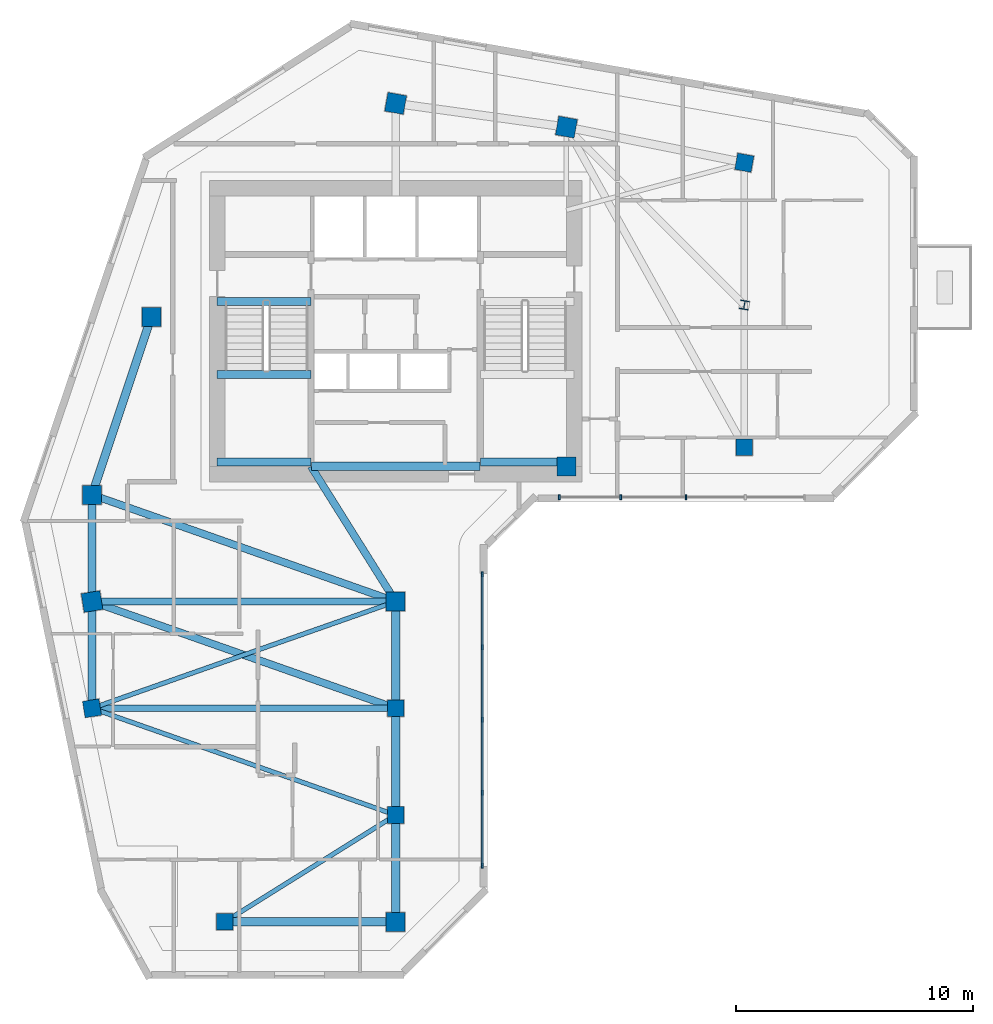
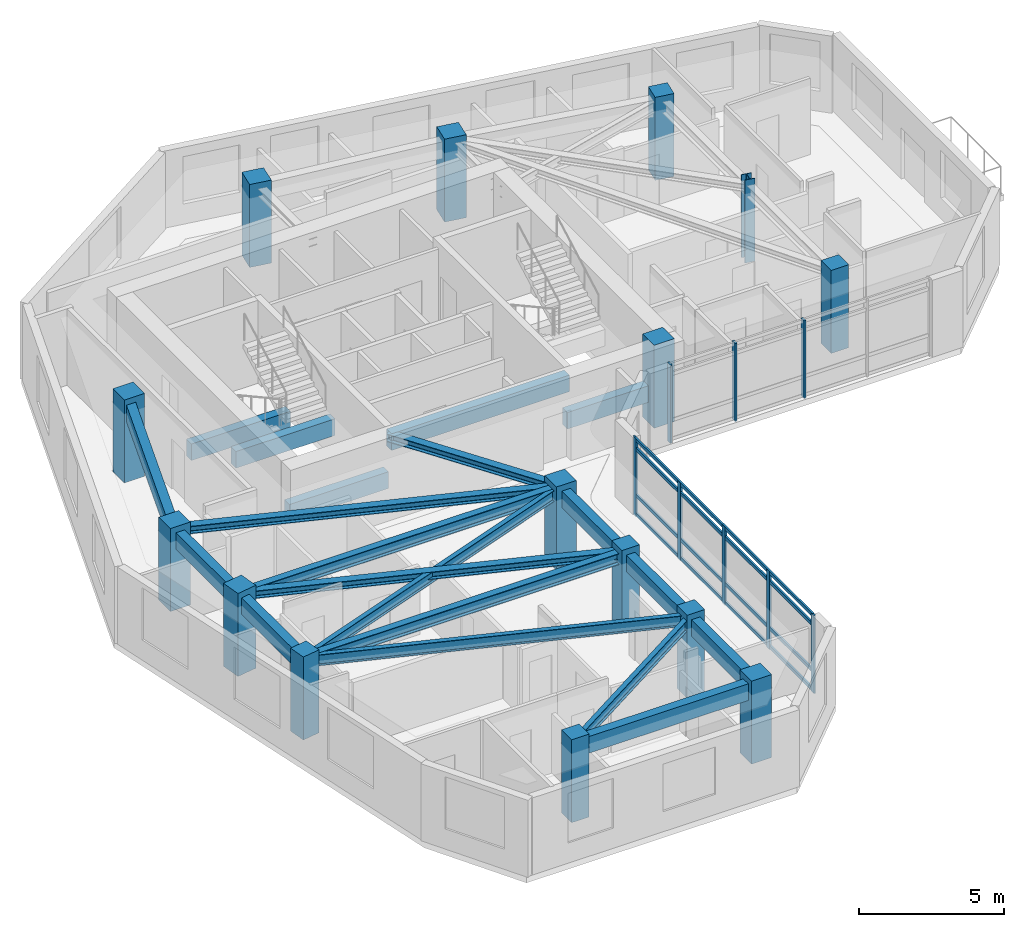
# One storey, part 1 of 10: 20 beams, 15 columns, 12 members, 2 elements without a shape of their own.
"""IFC4 building model written with IfcOpenShell, lengths in metres."""

from ifc_helpers import new_model, si_unit, direction, frame, origin, origin_2d, place, context, subcontext, project, spatial, rectangle, i_section, extrude, source, transform, mapped, material, material_profile, profile_set, type_object, element, aggregate, save


model = new_model("IFC4")

# Units and contexts
model_context = context("Model", 3, precision=1e-05, world=origin(), true_north=direction((0.0, 1.0)))
body_context = subcontext(model_context, "Body", "Model", "MODEL_VIEW")
ifc_project = project(units=[si_unit("LENGTHUNIT", "METRE"), si_unit("AREAUNIT", "SQUARE_METRE"), si_unit("VOLUMEUNIT", "CUBIC_METRE"), si_unit("PLANEANGLEUNIT", "RADIAN"), si_unit("MASSUNIT", "GRAM", prefix="KILO")], contexts=[model_context])

# Site, building, storey
site_placement = place(None, origin())
site = spatial("IfcSite", under=ifc_project, at=site_placement, CompositionType="ELEMENT")
building_placement = place(site_placement, origin())
building = spatial("IfcBuilding", under=site, at=building_placement, Name="Calvemar Wedge Station Tower", CompositionType="ELEMENT")
storey_placement = place(building_placement, frame((0.0, 0.0, 218.39990234375)))
storey = spatial("IfcBuildingStorey", under=building, at=storey_placement, Name="L55", CompositionType="ELEMENT", Elevation=218.39990234375)

# Columns
ifc_material_1 = material(Name="Concrete C50", Category="concrete")
ifc_material_profile_1 = material_profile(ifc_material_1, rectangle(XDim=0.800048828125, YDim=0.800048828125, at=origin_2d()), Name="RC800x800")
ifc_profile_set_1 = profile_set([ifc_material_profile_1], Name="Concrete C50")
column_type_1 = type_object("IfcColumnType", Name="COL-C6-800", PredefinedType="COLUMN", material=ifc_profile_set_1)
shared_shape_1 = source(origin(), body_context, "Body", "SweptSolid", [
    extrude(rectangle(XDim=0.800048828125, YDim=0.800048828125, at=origin_2d()), origin(), (0.0, 0.0, 1.0), 3.5),
])
for number, where, z_axis, x_axis, name in (
    (1, (11.0, 33.0, 0.0), (0.0, 0.0, 1.0), (1.0, 0.0, 0.0), "Storey L55 Column T-NW1"),
    (2, (13.5, 40.5, 0.0), (0.0, 0.0, 1.0), (1.0, 0.0, 0.0), "Storey L55 Column T-NW2"),
    (3, (23.800048828125, 49.5, 0.0), (0.0, 0.0, 1.0), (0.984195607969, -0.17708474032, 0.0), "Storey L55 Column T-N1"),
    (4, (31.0, 48.5, 0.0), (0.0, 0.0, 1.0), (0.984195607969, -0.17708474032, 0.0), "Storey L55 Column T-N2"),
    (5, (31.0, 34.199951171875, 0.0), (0.0, 0.0, 1.0), (1.0, 0.0, 0.0), "Storey L55 Column T-NL1"),
    (6, (11.0, 28.5, 0.0), (0.0, 0.0, 1.0), (0.158158067254, -0.987413806751, 0.0), "Storey L55 Column T-SW1"),
    (7, (23.800048828125, 28.5, 0.0), (0.0, 0.0, 1.0), (1.0, 0.0, 0.0), "Storey L55 Column T-SE1"),
    (8, (23.800048828125, 15.0, 0.0), (0.0, 0.0, 1.0), (1.0, 0.0, 0.0), "Storey L55 Column T-SE4"),
):
    element("IfcColumn", number, at=place(storey_placement, frame(where, z_axis=z_axis, x_axis=x_axis)), inside=storey, type_object=column_type_1, Name=name, PredefinedType="COLUMN", context=body_context, shape_type="MappedRepresentation", body=[
        mapped(shared_shape_1, transform((0.0, 0.0, 0.0), scale=1.0)),
    ])
ifc_material_profile_2 = material_profile(ifc_material_1, rectangle(XDim=0.699951171875, YDim=0.699951171875, at=origin_2d()), Name="RC700x700")
ifc_profile_set_2 = profile_set([ifc_material_profile_2], Name="Concrete C50")
column_type_2 = type_object("IfcColumnType", Name="COL-C7-700", PredefinedType="COLUMN", material=ifc_profile_set_2)
shared_shape_2 = source(origin(), body_context, "Body", "SweptSolid", [
    extrude(rectangle(XDim=0.699951171875, YDim=0.699951171875, at=origin_2d()), origin(), (0.0, 0.0, 1.0), 3.5),
])
for number, where, z_axis, x_axis, name in (
    (9, (38.5, 47.0, 0.0), (0.0, 0.0, 1.0), (0.984195607969, -0.17708474032, 0.0), "Storey L55 Column T-NU3"),
    (10, (38.5, 35.0, 0.0), (0.0, 0.0, 1.0), (1.0, 0.0, 0.0), "Storey L55 Column T-NL2"),
    (11, (11.0, 24.0, 0.0), (0.0, 0.0, 1.0), (0.158158067254, -0.987413806751, 0.0), "Storey L55 Column T-SW2"),
    (12, (23.800048828125, 24.0, 0.0), (0.0, 0.0, 1.0), (1.0, 0.0, 0.0), "Storey L55 Column T-SE2"),
    (13, (23.800048828125, 19.5, 0.0), (0.0, 0.0, 1.0), (1.0, 0.0, 0.0), "Storey L55 Column T-SE3"),
    (14, (16.60009765625, 15.0, 0.0), (0.0, 0.0, 1.0), (1.0, 0.0, 0.0), "Storey L55 Column T-SM1"),
):
    element("IfcColumn", number, at=place(storey_placement, frame(where, z_axis=z_axis, x_axis=x_axis)), inside=storey, type_object=column_type_2, Name=name, PredefinedType="COLUMN", context=body_context, shape_type="MappedRepresentation", body=[
        mapped(shared_shape_2, transform((0.0, 0.0, 0.0), scale=1.0)),
    ])
ifc_material_2 = material(Name="Structural steel ASTM A572 Grade 50", Category="steel")
ifc_material_profile_3 = material_profile(ifc_material_2, i_section(OverallWidth=0.3740234375, OverallDepth=0.3720703125, WebThickness=0.016357421875, FlangeThickness=0.026123046875, FilletRadius=0.014892578125, at=origin_2d()), Name="W360x196")
ifc_profile_set_3 = profile_set([ifc_material_profile_3], Name="Structural steel ASTM A572 Grade 50")
column_type_3 = type_object("IfcColumnType", Name="COL-STL-W360", PredefinedType="COLUMN", material=ifc_profile_set_3)
shared_shape_3 = source(origin(), body_context, "Body", "SweptSolid", [
    extrude(i_section(OverallWidth=0.3740234375, OverallDepth=0.3720703125, WebThickness=0.016357421875, FlangeThickness=0.026123046875, FilletRadius=0.014892578125, at=origin_2d()), origin(), (0.0, 0.0, 1.0), 3.5),
])
column_placement = place(storey_placement, frame((38.5, 41.0, 0.0), z_axis=(0.0, 0.0, 1.0), x_axis=(0.984195607969, -0.17708474032, 0.0)))
element("IfcColumn", 15, at=column_placement, inside=storey, type_object=column_type_3, Name="Storey L55 Column T-NTIP-B", PredefinedType="COLUMN", context=body_context, shape_type="MappedRepresentation", body=[
    mapped(shared_shape_3, transform((0.0, 0.0, 0.0), scale=1.0)),
])

# Beams
ifc_material_3 = material(Name="Concrete C70", Category="concrete")
ifc_material_profile_4 = material_profile(ifc_material_3, rectangle(XDim=0.35009765625, YDim=0.699951171875, at=origin_2d()), Name="RC350x700")
ifc_profile_set_4 = profile_set([ifc_material_profile_4], Name="Concrete C70")
beam_type_1 = type_object("IfcBeamType", Name="BM-LN1-700", PredefinedType="LINTEL", material=ifc_profile_set_4)
shared_shape_4 = source(origin(), body_context, "Body", "SweptSolid", [
    extrude(rectangle(XDim=0.35009765625, YDim=0.699951171875, at=origin_2d()), origin(), (0.0, 0.0, 1.0), 7.10009765625),
])
beam_1_placement = place(storey_placement, frame((20.25, 34.199951171875, 2.900146484375), z_axis=(1.0, 0.0, 0.0), x_axis=(0.0, 1.0, 0.0)))
element("IfcBeam", 16, at=beam_1_placement, inside=storey, type_object=beam_type_1, Name="Storey L55 Core Coupling Lintel South", PredefinedType="LINTEL", context=body_context, shape_type="MappedRepresentation", body=[
    mapped(shared_shape_4, transform((0.0, 0.0, 0.0), scale=1.0)),
])
ifc_material_profile_5 = material_profile(ifc_material_2, i_section(OverallWidth=0.30908203125, OverallDepth=0.322998046875, WebThickness=0.013916015625, FlangeThickness=0.02294921875, FilletRadius=0.014892578125, at=origin_2d()), Name="W310x143")
ifc_profile_set_5 = profile_set([ifc_material_profile_5], Name="Structural steel ASTM A572 Grade 50")
beam_type_2 = type_object("IfcBeamType", Name="BM-J5-W310H", PredefinedType="JOIST", material=ifc_profile_set_5)
shared_shape_5 = source(origin(), body_context, "Body", "SweptSolid", [
    extrude(i_section(OverallWidth=0.30908203125, OverallDepth=0.322998046875, WebThickness=0.013916015625, FlangeThickness=0.02294921875, FilletRadius=0.014892578125, at=origin_2d()), origin(), (0.0, 0.0, 1.0), 13.568115234375),
])
for number, where, z_axis, x_axis, name in (
    (17, (11.0, 33.0, 3.088623046875), (0.943398221169, -0.331662171939, 0.0), (0.331662171939, 0.943398221169, 0.0), "Storey L55 Floor Beam T-NW1-T-SE1"),
    (18, (11.0, 28.5, 3.088623046875), (0.943398221169, -0.331662171939, 0.0), (0.331662171939, 0.943398221169, 0.0), "Storey L55 Floor Beam T-SW1-T-SE2"),
):
    element("IfcBeam", number, at=place(storey_placement, frame(where, z_axis=z_axis, x_axis=x_axis)), inside=storey, type_object=beam_type_2, Name=name, PredefinedType="JOIST", context=body_context, shape_type="MappedRepresentation", body=[
        mapped(shared_shape_5, transform((0.0, 0.0, 0.0), scale=1.0)),
    ])
ifc_material_profile_6 = material_profile(ifc_material_2, i_section(OverallWidth=0.19189453125, OverallDepth=0.462890625, WebThickness=0.010498046875, FlangeThickness=0.017578125, FilletRadius=0.012939453125, at=origin_2d()), Name="W460x89")
ifc_profile_set_6 = profile_set([ifc_material_profile_6], Name="Structural steel ASTM A572 Grade 50")
beam_type_3 = type_object("IfcBeamType", Name="BM-J1-W460", PredefinedType="JOIST", material=ifc_profile_set_6)
shared_shape_6 = source(origin(), body_context, "Body", "SweptSolid", [
    extrude(i_section(OverallWidth=0.19189453125, OverallDepth=0.462890625, WebThickness=0.010498046875, FlangeThickness=0.017578125, FilletRadius=0.012939453125, at=origin_2d()), origin(), (0.0, 0.0, 1.0), 13.568115234375),
])
for number, where, z_axis, x_axis, name in (
    (19, (23.800048828125, 28.5, 3.0185546875), (-0.943398221169, -0.331662171939, 0.0), (0.331662171939, -0.943398221169, 0.0), "Storey L55 Floor Beam T-SE1-T-SW2"),
    (20, (11.0, 24.0, 3.0185546875), (0.943398221169, -0.331662171939, 0.0), (0.331662171939, 0.943398221169, 0.0), "Storey L55 Floor Beam T-SW2-T-SE3"),
):
    element("IfcBeam", number, at=place(storey_placement, frame(where, z_axis=z_axis, x_axis=x_axis)), inside=storey, type_object=beam_type_3, Name=name, PredefinedType="JOIST", context=body_context, shape_type="MappedRepresentation", body=[
        mapped(shared_shape_6, transform((0.0, 0.0, 0.0), scale=1.0)),
    ])
shared_shape_7 = source(origin(), body_context, "Body", "SweptSolid", [
    extrude(i_section(OverallWidth=0.19189453125, OverallDepth=0.462890625, WebThickness=0.010498046875, FlangeThickness=0.017578125, FilletRadius=0.012939453125, at=origin_2d()), origin(), (0.0, 0.0, 1.0), 8.490478515625),
])
beam_2_placement = place(storey_placement, frame((23.800048828125, 19.5, 3.0185546875), z_axis=(-0.847996688584, -0.530001524668, 0.0), x_axis=(0.530001524668, -0.847996688584, 0.0)))
element("IfcBeam", 21, at=beam_2_placement, inside=storey, type_object=beam_type_3, Name="Storey L55 Floor Beam T-SE3-T-SM1", PredefinedType="JOIST", context=body_context, shape_type="MappedRepresentation", body=[
    mapped(shared_shape_7, transform((0.0, 0.0, 0.0), scale=1.0)),
])
shared_shape_8 = source(origin(), body_context, "Body", "SweptSolid", [
    extrude(i_section(OverallWidth=0.30908203125, OverallDepth=0.322998046875, WebThickness=0.013916015625, FlangeThickness=0.02294921875, FilletRadius=0.014892578125, at=origin_2d()), origin(), (0.0, 0.0, 1.0), 6.7255859375),
])
beam_3_placement = place(storey_placement, frame((20.22998046875, 34.199951171875, 3.088623046875), z_axis=(0.530811158438, -0.847490126242, 0.0), x_axis=(0.847490126242, 0.530811158438, 0.0)))
element("IfcBeam", 22, at=beam_3_placement, inside=storey, type_object=beam_type_2, Name="Storey L55 Core-to-Column Joist CJ-S2", PredefinedType="JOIST", context=body_context, shape_type="MappedRepresentation", body=[
    mapped(shared_shape_8, transform((0.0, 0.0, 0.0), scale=1.0)),
])
shared_shape_9 = source(origin(), body_context, "Body", "SweptSolid", [
    extrude(rectangle(XDim=0.35009765625, YDim=0.699951171875, at=origin_2d()), origin(), (0.0, 0.0, 1.0), 3.955078125),
])
for number, where, z_axis, x_axis, name in (
    (23, (16.27490234375, 41.14990234375, -0.349853515625), (1.0, 0.0, 0.0), (0.0, 1.0, 0.0), "Storey L55 Stair ST-C1 Landing Trimmer Beam"),
    (24, (16.27490234375, 34.3798828125, 1.2001953125), (1.0, 0.0, 0.0), (0.0, 1.0, 0.0), "Storey L55 Stair ST-C1 Half-Landing Beam 1A"),
    (25, (16.27490234375, 38.070068359375, 1.2001953125), (1.0, 0.0, 0.0), (0.0, 1.0, 0.0), "Storey L55 Stair ST-C1 Half-Landing Beam 1B"),
):
    element("IfcBeam", number, at=place(storey_placement, frame(where, z_axis=z_axis, x_axis=x_axis)), inside=storey, type_object=beam_type_1, Name=name, PredefinedType="LINTEL", context=body_context, shape_type="MappedRepresentation", body=[
        mapped(shared_shape_9, transform((0.0, 0.0, 0.0), scale=1.0)),
    ])
shared_shape_10 = source(origin(), body_context, "Body", "SweptSolid", [
    extrude(rectangle(XDim=0.35009765625, YDim=0.699951171875, at=origin_2d()), origin(), (0.0, 0.0, 1.0), 3.954833984375),
])
beam_4_placement = place(storey_placement, frame((27.3701171875, 34.3798828125, 1.2001953125), z_axis=(1.0, 0.0, 0.0), x_axis=(0.0, 1.0, 0.0)))
element("IfcBeam", 26, at=beam_4_placement, inside=storey, type_object=beam_type_1, Name="Storey L55 Stair ST-C2 Half-Landing Beam 1A", PredefinedType="LINTEL", context=body_context, shape_type="MappedRepresentation", body=[
    mapped(shared_shape_10, transform((0.0, 0.0, 0.0), scale=1.0)),
])
ifc_material_profile_7 = material_profile(ifc_material_1, rectangle(XDim=0.35009765625, YDim=0.699951171875, at=origin_2d()), Name="RC350x700")
ifc_profile_set_7 = profile_set([ifc_material_profile_7], Name="Concrete C50")
beam_type_4 = type_object("IfcBeamType", Name="BM-SP2-700", PredefinedType="SPANDREL", material=ifc_profile_set_7)
shared_shape_11 = source(origin(), body_context, "Body", "SweptSolid", [
    extrude(rectangle(XDim=0.35009765625, YDim=0.699951171875, at=origin_2d()), origin(), (0.0, 0.0, 1.0), 7.90576171875),
])
beam_5_placement = place(storey_placement, frame((11.0, 33.0, 2.900146484375), z_axis=(0.316227766017, 0.948683298051, 0.0), x_axis=(-0.948683298051, 0.316227766017, 0.0)))
element("IfcBeam", 27, at=beam_5_placement, inside=storey, type_object=beam_type_4, Name="Storey L55 Spandrel T-NW1-T-NW2", PredefinedType="SPANDREL", context=body_context, shape_type="MappedRepresentation", body=[
    mapped(shared_shape_11, transform((0.0, 0.0, 0.0), scale=1.0)),
])
shared_shape_12 = source(origin(), body_context, "Body", "SweptSolid", [
    extrude(rectangle(XDim=0.35009765625, YDim=0.699951171875, at=origin_2d()), origin(), (0.0, 0.0, 1.0), 4.5),
])
for number, where, z_axis, x_axis, name in (
    (28, (11.0, 33.0, 2.900146484375), (0.0, -1.0, 0.0), (1.0, 0.0, 0.0), "Storey L55 Spandrel T-NW1-T-SW1"),
    (29, (11.0, 28.5, 2.900146484375), (0.0, -1.0, 0.0), (1.0, 0.0, 0.0), "Storey L55 Spandrel T-SW1-T-SW2"),
    (30, (23.800048828125, 28.5, 2.900146484375), (0.0, -1.0, 0.0), (1.0, 0.0, 0.0), "Storey L55 Spandrel T-SE1-T-SE2"),
    (31, (23.800048828125, 24.0, 2.900146484375), (0.0, -1.0, 0.0), (1.0, 0.0, 0.0), "Storey L55 Spandrel T-SE2-T-SE3"),
    (32, (23.800048828125, 19.5, 2.900146484375), (0.0, -1.0, 0.0), (1.0, 0.0, 0.0), "Storey L55 Spandrel T-SE3-T-SE4"),
):
    element("IfcBeam", number, at=place(storey_placement, frame(where, z_axis=z_axis, x_axis=x_axis)), inside=storey, type_object=beam_type_4, Name=name, PredefinedType="SPANDREL", context=body_context, shape_type="MappedRepresentation", body=[
        mapped(shared_shape_12, transform((0.0, 0.0, 0.0), scale=1.0)),
    ])
shared_shape_13 = source(origin(), body_context, "Body", "SweptSolid", [
    extrude(rectangle(XDim=0.35009765625, YDim=0.699951171875, at=origin_2d()), origin(), (0.0, 0.0, 1.0), 7.199951171875),
])
beam_6_placement = place(storey_placement, frame((16.60009765625, 15.0, 2.900146484375), z_axis=(1.0, 0.0, 0.0), x_axis=(0.0, 1.0, 0.0)))
element("IfcBeam", 33, at=beam_6_placement, inside=storey, type_object=beam_type_4, Name="Storey L55 Spandrel T-SM1-T-SE4", PredefinedType="SPANDREL", context=body_context, shape_type="MappedRepresentation", body=[
    mapped(shared_shape_13, transform((0.0, 0.0, 0.0), scale=1.0)),
])
ifc_material_profile_8 = material_profile(ifc_material_2, i_section(OverallWidth=0.283935546875, OverallDepth=0.47607421875, WebThickness=0.014892578125, FlangeThickness=0.02392578125, FilletRadius=0.014892578125, at=origin_2d()), Name="W460x158")
ifc_profile_set_8 = profile_set([ifc_material_profile_8], Name="Structural steel ASTM A572 Grade 50")
beam_type_5 = type_object("IfcBeamType", Name="BM-SB5-W460H", PredefinedType="BEAM", material=ifc_profile_set_8)
shared_shape_14 = source(origin(), body_context, "Body", "SweptSolid", [
    extrude(i_section(OverallWidth=0.283935546875, OverallDepth=0.47607421875, WebThickness=0.014892578125, FlangeThickness=0.02392578125, FilletRadius=0.014892578125, at=origin_2d()), origin(), (0.0, 0.0, 1.0), 12.800048828125),
])
for number, where, z_axis, x_axis, name in (
    (34, (11.0, 28.5, 3.01220703125), (1.0, 0.0, 0.0), (0.0, 1.0, 0.0), "Storey L55 Floor Beam T-SW1-T-SE1"),
    (35, (11.0, 24.0, 3.01220703125), (1.0, 0.0, 0.0), (0.0, 1.0, 0.0), "Storey L55 Floor Beam T-SW2-T-SE2"),
):
    element("IfcBeam", number, at=place(storey_placement, frame(where, z_axis=z_axis, x_axis=x_axis)), inside=storey, type_object=beam_type_5, Name=name, PredefinedType="BEAM", context=body_context, shape_type="MappedRepresentation", body=[
        mapped(shared_shape_14, transform((0.0, 0.0, 0.0), scale=1.0)),
    ])

# Curtain wall, members
ifc_material_4 = material(Name="Anodised aluminium 6063-T6", Category="aluminium")
curtain_wall_type = type_object("IfcCurtainWallType", Name="CW3", PredefinedType="NOTDEFINED", material=ifc_material_4)
curtain_wall_1_placement = place(storey_placement, origin())
curtain_wall_1 = element("IfcCurtainWall", 36, at=curtain_wall_1_placement, inside=storey, type_object=curtain_wall_type, Name="Storey L55 CW3 Recessed Unitised Curtain Wall 4", PredefinedType="NOTDEFINED")
ifc_material_profile_9 = material_profile(ifc_material_4, rectangle(XDim=0.074951171875, YDim=0.2099609375, at=origin_2d()), Name="AL-MUL-75x210")
ifc_profile_set_9 = profile_set([ifc_material_profile_9], Name="Anodised aluminium 6063-T6")
member_type_1 = type_object("IfcMemberType", Name="CW3-MUL", PredefinedType="MULLION", material=ifc_profile_set_9)
shared_shape_15 = source(origin(), body_context, "Body", "SweptSolid", [
    extrude(rectangle(XDim=0.074951171875, YDim=0.2099609375, at=origin_2d()), origin(), (0.0, 0.0, 1.0), 3.2998046875),
])
member_1_placement = place(storey_placement, frame((27.4541015625, 17.362060546875, -0.0498046875), z_axis=(0.0, 0.0, 1.0), x_axis=(1.0, 0.0, 0.0)))
member_1 = element("IfcMember", 37, at=member_1_placement, type_object=member_type_1, Name="CW3 mullion 1", PredefinedType="MULLION", context=body_context, shape_type="MappedRepresentation", body=[
    mapped(shared_shape_15, transform((0.0, 0.0, 0.0), scale=1.0)),
])
member_2_placement = place(storey_placement, frame((27.4541015625, 20.43505859375, -0.0498046875), z_axis=(0.0, 0.0, 1.0), x_axis=(1.0, 0.0, 0.0)))
member_2 = element("IfcMember", 38, at=member_2_placement, type_object=member_type_1, Name="CW3 mullion 2", PredefinedType="MULLION", context=body_context, shape_type="MappedRepresentation", body=[
    mapped(shared_shape_15, transform((0.0, 0.0, 0.0), scale=1.0)),
])
member_3_placement = place(storey_placement, frame((27.4541015625, 23.508056640625, -0.0498046875), z_axis=(0.0, 0.0, 1.0), x_axis=(1.0, 0.0, 0.0)))
member_3 = element("IfcMember", 39, at=member_3_placement, type_object=member_type_1, Name="CW3 mullion 3", PredefinedType="MULLION", context=body_context, shape_type="MappedRepresentation", body=[
    mapped(shared_shape_15, transform((0.0, 0.0, 0.0), scale=1.0)),
])
member_4_placement = place(storey_placement, frame((27.4541015625, 26.5810546875, -0.0498046875), z_axis=(0.0, 0.0, 1.0), x_axis=(1.0, 0.0, 0.0)))
member_4 = element("IfcMember", 40, at=member_4_placement, type_object=member_type_1, Name="CW3 mullion 4", PredefinedType="MULLION", context=body_context, shape_type="MappedRepresentation", body=[
    mapped(shared_shape_15, transform((0.0, 0.0, 0.0), scale=1.0)),
])
member_5_placement = place(storey_placement, frame((27.4541015625, 29.654052734375, -0.0498046875), z_axis=(0.0, 0.0, 1.0), x_axis=(1.0, 0.0, 0.0)))
member_5 = element("IfcMember", 41, at=member_5_placement, type_object=member_type_1, Name="CW3 mullion 5", PredefinedType="MULLION", context=body_context, shape_type="MappedRepresentation", body=[
    mapped(shared_shape_15, transform((0.0, 0.0, 0.0), scale=1.0)),
])

curtain_wall_2_placement = place(storey_placement, origin())
curtain_wall_2 = element("IfcCurtainWall", 42, at=curtain_wall_2_placement, inside=storey, type_object=curtain_wall_type, Name="Storey L55 CW3 Recessed Unitised Curtain Wall 6", PredefinedType="NOTDEFINED")
member_6_placement = place(storey_placement, frame((30.701904296875, 32.902099609375, -0.0498046875), z_axis=(0.0, 0.0, 1.0), x_axis=(1.0, 0.0, 0.0)))
member_6 = element("IfcMember", 43, at=member_6_placement, type_object=member_type_1, Name="CW3 mullion 1", PredefinedType="MULLION", context=body_context, shape_type="MappedRepresentation", body=[
    mapped(shared_shape_15, transform((0.0, 0.0, 0.0), scale=1.0)),
])
member_7_placement = place(storey_placement, frame((33.2900390625, 32.902099609375, -0.0498046875), z_axis=(0.0, 0.0, 1.0), x_axis=(1.0, 0.0, 0.0)))
member_7 = element("IfcMember", 44, at=member_7_placement, type_object=member_type_1, Name="CW3 mullion 2", PredefinedType="MULLION", context=body_context, shape_type="MappedRepresentation", body=[
    mapped(shared_shape_15, transform((0.0, 0.0, 0.0), scale=1.0)),
])
member_8_placement = place(storey_placement, frame((36.0400390625, 32.902099609375, -0.0498046875), z_axis=(0.0, 0.0, 1.0), x_axis=(1.0, 0.0, 0.0)))
member_8 = element("IfcMember", 45, at=member_8_placement, type_object=member_type_1, Name="CW3 mullion 3", PredefinedType="MULLION", context=body_context, shape_type="MappedRepresentation", body=[
    mapped(shared_shape_15, transform((0.0, 0.0, 0.0), scale=1.0)),
])
aggregate(curtain_wall_2, [member_6, member_7, member_8])

# Member
ifc_material_profile_10 = material_profile(ifc_material_4, rectangle(XDim=0.074951171875, YDim=0.14501953125, at=origin_2d()), Name="AL-TRN-75x145")
ifc_profile_set_10 = profile_set([ifc_material_profile_10], Name="Anodised aluminium 6063-T6")
member_type_2 = type_object("IfcMemberType", Name="CW3-TRN", PredefinedType="USERDEFINED", material=ifc_profile_set_10)
shared_shape_16 = source(origin(), body_context, "Body", "SweptSolid", [
    extrude(rectangle(XDim=0.074951171875, YDim=0.14501953125, at=origin_2d()), origin(), (0.0, 0.0, 1.0), 12.2919921875),
])
member_9_placement = place(storey_placement, frame((27.4541015625, 17.362060546875, 0.06005859375), z_axis=(0.0, 1.0, 0.0), x_axis=(-1.0, 0.0, 0.0)))
member_9 = element("IfcMember", 46, at=member_9_placement, type_object=member_type_2, Name="CW3 transom 1", ObjectType="TRANSOM", PredefinedType="USERDEFINED", context=body_context, shape_type="MappedRepresentation", body=[
    mapped(shared_shape_16, transform((0.0, 0.0, 0.0), scale=1.0)),
])

member_10_placement = place(storey_placement, frame((27.4541015625, 17.362060546875, 0.85009765625), z_axis=(0.0, 1.0, 0.0), x_axis=(-1.0, 0.0, 0.0)))
member_10 = element("IfcMember", 47, at=member_10_placement, type_object=member_type_2, Name="CW3 transom 2", ObjectType="TRANSOM", PredefinedType="USERDEFINED", context=body_context, shape_type="MappedRepresentation", body=[
    mapped(shared_shape_16, transform((0.0, 0.0, 0.0), scale=1.0)),
])

member_11_placement = place(storey_placement, frame((27.4541015625, 17.362060546875, 2.800048828125), z_axis=(0.0, 1.0, 0.0), x_axis=(-1.0, 0.0, 0.0)))
member_11 = element("IfcMember", 48, at=member_11_placement, type_object=member_type_2, Name="CW3 transom 3", ObjectType="TRANSOM", PredefinedType="USERDEFINED", context=body_context, shape_type="MappedRepresentation", body=[
    mapped(shared_shape_16, transform((0.0, 0.0, 0.0), scale=1.0)),
])

member_12_placement = place(storey_placement, frame((27.4541015625, 17.362060546875, 3.190185546875), z_axis=(0.0, 1.0, 0.0), x_axis=(-1.0, 0.0, 0.0)))
member_12 = element("IfcMember", 49, at=member_12_placement, type_object=member_type_2, Name="CW3 transom 4", ObjectType="TRANSOM", PredefinedType="USERDEFINED", context=body_context, shape_type="MappedRepresentation", body=[
    mapped(shared_shape_16, transform((0.0, 0.0, 0.0), scale=1.0)),
])

aggregate(curtain_wall_1, [member_1, member_2, member_3, member_4, member_5, member_9, member_10, member_11, member_12])

save(model, "model.ifc")
